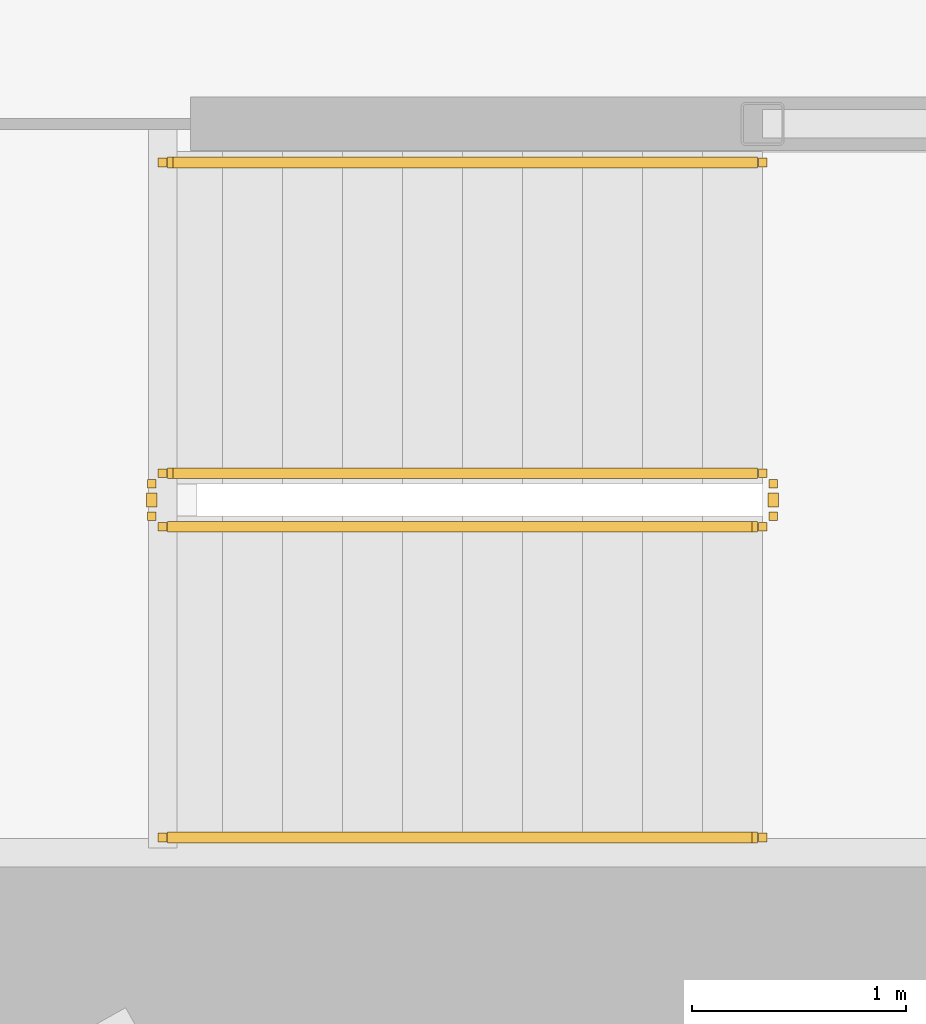
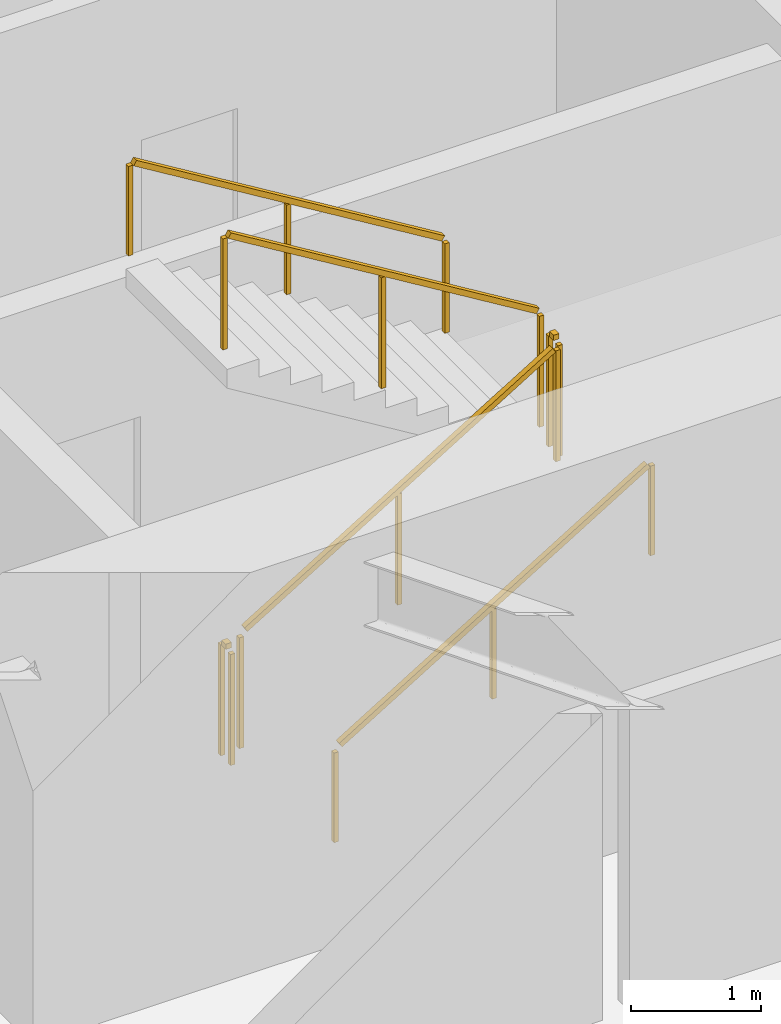
# One storey, part 28 of 31: 6 railings.
"""IFC4 building model written with IfcOpenShell, lengths in metres."""

from ifc_helpers import new_model, si_unit, direction, frame, origin, origin_2d, place, context, subcontext, project, spatial, rectangle, extrude, material, type_object, element, save


model = new_model("IFC4")

# Units and contexts
model_context = context("Model", 3, precision=1e-05, world=origin(), true_north=direction((0.0, 1.0)))
body_context = subcontext(model_context, "Body", "Model", "MODEL_VIEW")
ifc_project = project(units=[si_unit("LENGTHUNIT", "METRE"), si_unit("AREAUNIT", "SQUARE_METRE"), si_unit("VOLUMEUNIT", "CUBIC_METRE"), si_unit("PLANEANGLEUNIT", "RADIAN"), si_unit("MASSUNIT", "GRAM", prefix="KILO")], contexts=[model_context])

# Site, building, storey
site_placement = place(None, origin())
site = spatial("IfcSite", under=ifc_project, at=site_placement, CompositionType="ELEMENT")
building_placement = place(site_placement, origin())
building = spatial("IfcBuilding", under=site, at=building_placement, Name="Kazma Halo Residences", CompositionType="ELEMENT")
storey_placement = place(building_placement, frame((0.0, 0.0, 41.39990234375)))
storey = spatial("IfcBuildingStorey", under=building, at=storey_placement, Name="L09", CompositionType="ELEMENT", Elevation=41.39990234375)

# Railings
ifc_material_1 = material(Name="Painted Steel S355", Category="steel")
railing_type_1 = type_object("IfcRailingType", Name="RLG-STAIR-GRD-1100", PredefinedType="GUARDRAIL", material=ifc_material_1)
railing_1_placement = place(storey_placement, frame((53.199951171875, 35.5, 0.170654296875)))
element("IfcRailing", 1, at=railing_1_placement, inside=storey, type_object=railing_type_1, Name="L09 ST-03 stair guard 1", PredefinedType="GUARDRAIL", context=body_context, shape_type="SweptSolid", body=[
    extrude(rectangle(XDim=0.050048828125, YDim=0.050048828125, at=origin_2d()), frame((0.036376953125, 0.0, 1.09716796875), z_axis=(0.854202870247, 0.0, 0.519939858505), x_axis=(0.0, 1.0, 0.0)), (0.0, 0.0, 1.0), 3.19287109375),
    extrude(rectangle(XDim=0.0400390625, YDim=0.0400390625, at=origin_2d()), origin(), (0.0, 0.0, 1.0), 1.0380859375),
    extrude(rectangle(XDim=0.0400390625, YDim=0.0400390625, at=origin_2d()), frame((1.39990234375, 0.0, 0.85205078125)), (0.0, 0.0, 1.0), 1.0380859375),
    extrude(rectangle(XDim=0.0400390625, YDim=0.0400390625, at=origin_2d()), frame((2.800048828125, 0.0, 1.704345703125)), (0.0, 0.0, 1.0), 1.0380859375),
])
railing_2_placement = place(storey_placement, frame((56.050048828125, 35.550048828125, 1.875)))
element("IfcRailing", 2, at=railing_2_placement, inside=storey, type_object=railing_type_1, Name="L09 ST-03 stair guard 2", PredefinedType="GUARDRAIL", context=body_context, shape_type="SweptSolid", body=[
    extrude(rectangle(XDim=0.050048828125, YDim=0.050048828125, at=origin_2d()), frame((0.0, 0.04248046875, 1.0751953125), z_axis=(0.0, 1.0, 0.0), x_axis=(-1.0, 0.0, 0.0)), (0.0, 0.0, 1.0), 0.06494140625),
    extrude(rectangle(XDim=0.0400390625, YDim=0.0400390625, at=origin_2d()), origin(), (0.0, 0.0, 1.0), 1.0380859375),
    extrude(rectangle(XDim=0.0400390625, YDim=0.0400390625, at=origin_2d()), frame((0.0, 0.14990234375, 0.0)), (0.0, 0.0, 1.0), 1.0380859375),
])
railing_3_placement = place(storey_placement, frame((56.0, 35.75, 2.045654296875)))
element("IfcRailing", 3, at=railing_3_placement, inside=storey, type_object=railing_type_1, Name="L09 ST-03 stair guard 3", PredefinedType="GUARDRAIL", context=body_context, shape_type="SweptSolid", body=[
    extrude(rectangle(XDim=0.050048828125, YDim=0.050048828125, at=origin_2d()), frame((-0.036376953125, 0.0, 1.09716796875), z_axis=(-0.854202870247, 0.0, 0.519939858505), x_axis=(0.0, -1.0, 0.0)), (0.0, 0.0, 1.0), 3.19287109375),
    extrude(rectangle(XDim=0.0400390625, YDim=0.0400390625, at=origin_2d()), origin(), (0.0, 0.0, 1.0), 1.0380859375),
    extrude(rectangle(XDim=0.0400390625, YDim=0.0400390625, at=origin_2d()), frame((-1.39990234375, 0.0, 0.85205078125)), (0.0, 0.0, 1.0), 1.0380859375),
    extrude(rectangle(XDim=0.0400390625, YDim=0.0400390625, at=origin_2d()), frame((-2.800048828125, 0.0, 1.704345703125)), (0.0, 0.0, 1.0), 1.0380859375),
])
railing_4_placement = place(storey_placement, frame((53.14990234375, 35.550048828125, 0.0)))
element("IfcRailing", 4, at=railing_4_placement, inside=storey, type_object=railing_type_1, Name="L09 ST-03 stair guard 4", PredefinedType="GUARDRAIL", context=body_context, shape_type="SweptSolid", body=[
    extrude(rectangle(XDim=0.050048828125, YDim=0.050048828125, at=origin_2d()), frame((0.0, 0.04248046875, 1.0751953125), z_axis=(0.0, 1.0, 0.0), x_axis=(-1.0, 0.0, 0.0)), (0.0, 0.0, 1.0), 0.06494140625),
    extrude(rectangle(XDim=0.0400390625, YDim=0.0400390625, at=origin_2d()), origin(), (0.0, 0.0, 1.0), 1.0380859375),
    extrude(rectangle(XDim=0.0400390625, YDim=0.0400390625, at=origin_2d()), frame((0.0, 0.14990234375, 0.0)), (0.0, 0.0, 1.0), 1.0380859375),
])
ifc_material_2 = material(Name="Brushed Stainless Steel", Category="steel")
railing_type_2 = type_object("IfcRailingType", Name="RLG-STAIR-HND-900", PredefinedType="HANDRAIL", material=ifc_material_2)
railing_5_placement = place(storey_placement, frame((53.199951171875, 34.050048828125, 0.170654296875)))
element("IfcRailing", 5, at=railing_5_placement, inside=storey, type_object=railing_type_2, Name="L09 ST-03 stair handrail 1", PredefinedType="HANDRAIL", context=body_context, shape_type="SweptSolid", body=[
    extrude(rectangle(XDim=0.050048828125, YDim=0.050048828125, at=origin_2d()), frame((0.036376953125, 0.0, 0.89697265625), z_axis=(0.854202870247, 0.0, 0.519939858505), x_axis=(0.0, 1.0, 0.0)), (0.0, 0.0, 1.0), 3.19287109375),
    extrude(rectangle(XDim=0.0400390625, YDim=0.0400390625, at=origin_2d()), origin(), (0.0, 0.0, 1.0), 0.837890625),
    extrude(rectangle(XDim=0.0400390625, YDim=0.0400390625, at=origin_2d()), frame((1.39990234375, 0.0, 0.85205078125)), (0.0, 0.0, 1.0), 0.837890625),
    extrude(rectangle(XDim=0.0400390625, YDim=0.0400390625, at=origin_2d()), frame((2.800048828125, 0.0, 1.704345703125)), (0.0, 0.0, 1.0), 0.837890625),
])
railing_6_placement = place(storey_placement, frame((56.0, 37.199951171875, 2.045654296875)))
element("IfcRailing", 6, at=railing_6_placement, inside=storey, type_object=railing_type_2, Name="L09 ST-03 stair handrail 2", PredefinedType="HANDRAIL", context=body_context, shape_type="SweptSolid", body=[
    extrude(rectangle(XDim=0.050048828125, YDim=0.050048828125, at=origin_2d()), frame((-0.036376953125, 0.0, 0.89697265625), z_axis=(-0.854202870247, 0.0, 0.519939858505), x_axis=(0.0, -1.0, 0.0)), (0.0, 0.0, 1.0), 3.19287109375),
    extrude(rectangle(XDim=0.0400390625, YDim=0.0400390625, at=origin_2d()), origin(), (0.0, 0.0, 1.0), 0.837890625),
    extrude(rectangle(XDim=0.0400390625, YDim=0.0400390625, at=origin_2d()), frame((-1.39990234375, 0.0, 0.85205078125)), (0.0, 0.0, 1.0), 0.837890625),
    extrude(rectangle(XDim=0.0400390625, YDim=0.0400390625, at=origin_2d()), frame((-2.800048828125, 0.0, 1.704345703125)), (0.0, 0.0, 1.0), 0.837890625),
])

save(model, "model.ifc")
